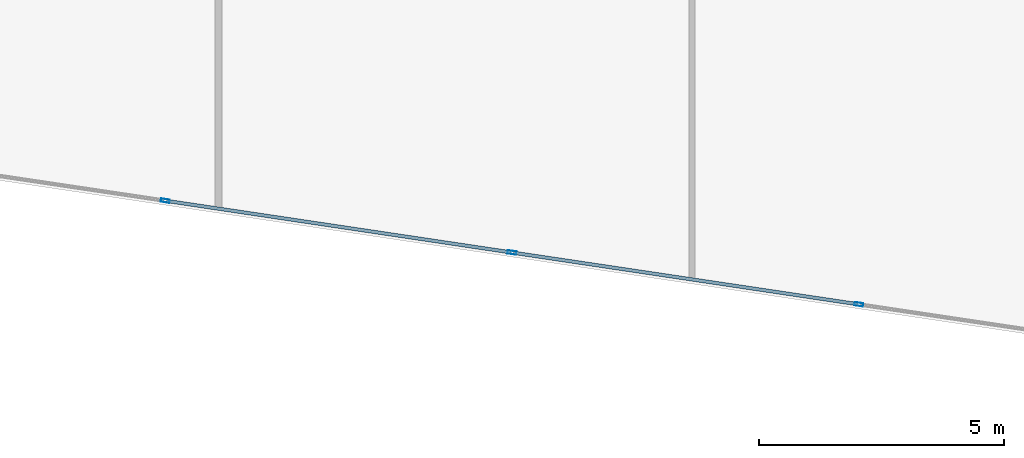
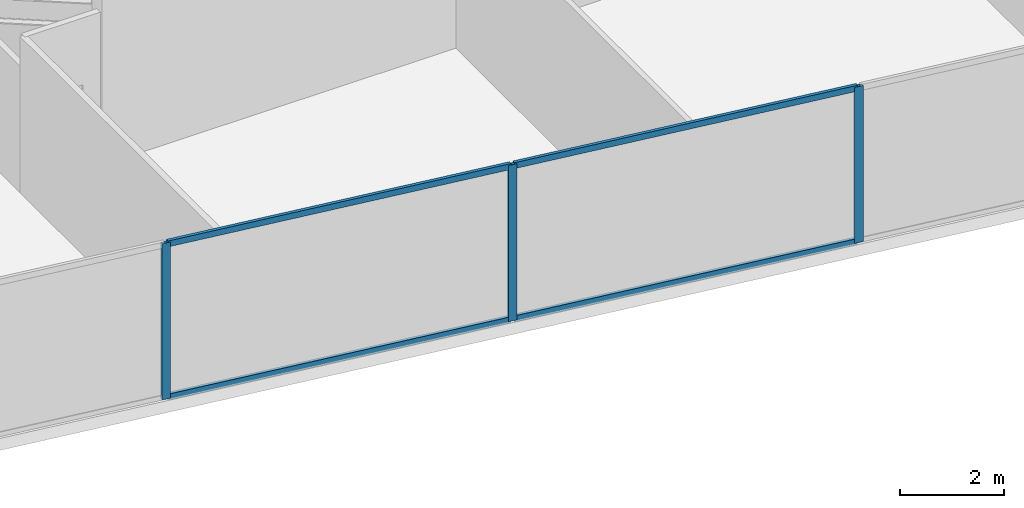
# One storey, part 4 of 29: 7 members, 1 element without a shape of its own.
"""IFC4 building model written with IfcOpenShell, lengths in metres."""

from ifc_helpers import new_model, si_unit, direction, frame, origin, origin_2d, place, context, subcontext, project, spatial, hollow_rectangle, extrude, source, transform, mapped, material, material_profile, profile_set, type_object, type_shapes, element, aggregate, save


model = new_model("IFC4")

# Units and contexts
model_context = context("Model", 3, precision=1e-05, world=origin(), true_north=direction((0.0, 1.0)))
body_context = subcontext(model_context, "Body", "Model", "MODEL_VIEW")
ifc_project = project(units=[si_unit("LENGTHUNIT", "METRE"), si_unit("AREAUNIT", "SQUARE_METRE"), si_unit("VOLUMEUNIT", "CUBIC_METRE"), si_unit("PLANEANGLEUNIT", "RADIAN"), si_unit("MASSUNIT", "GRAM", prefix="KILO")], contexts=[model_context])

# Site, building, storey
site_placement = place(None, origin())
site = spatial("IfcSite", under=ifc_project, at=site_placement, CompositionType="ELEMENT")
building_placement = place(site_placement, origin())
building = spatial("IfcBuilding", under=site, at=building_placement, Name="Krantzveldt Concourse Tower", CompositionType="ELEMENT")
storey_placement = place(building_placement, frame((0.0, 0.0, 72.39990234375)))
storey = spatial("IfcBuildingStorey", under=building, at=storey_placement, Name="L17", CompositionType="ELEMENT", Elevation=72.39990234375)

# Curtain wall, members
ifc_material = material(Name="Anodised aluminium 6063-T6", Category="aluminium")
curtain_wall_type = type_object("IfcCurtainWallType", Name="CW2", PredefinedType="USERDEFINED", material=ifc_material)
curtain_wall_placement = place(storey_placement, origin())
curtain_wall = element("IfcCurtainWall", 1, at=curtain_wall_placement, inside=storey, type_object=curtain_wall_type, Name="CW-L17-F04", ObjectType="UNITISED CURTAIN WALL", PredefinedType="USERDEFINED")
ifc_material_profile_1 = material_profile(ifc_material, hollow_rectangle(XDim=0.070068359375, YDim=0.139892578125, WallThickness=0.0048828125, at=origin_2d()), Name="Anodised aluminium 6063-T6", Category="aluminium")
ifc_profile_set_1 = profile_set([ifc_material_profile_1], Name="Anodised aluminium 6063-T6 - ALU-TRAN 140x70x5")
member_type_1 = type_object("IfcMemberType", Name="CW-TRN-150", PredefinedType="USERDEFINED", material=ifc_profile_set_1)
shared_shape_1 = source(origin(), body_context, "Body", "SweptSolid", [
    extrude(hollow_rectangle(XDim=0.070068359375, YDim=0.139892578125, WallThickness=0.0048828125, at=origin_2d()), origin(), (0.0, 0.0, 1.0), 7.0966796875),
])
member_1_placement = place(storey_placement, frame((25.2646484375, 3.11767578125, 0.03515625), z_axis=(0.989018713841, -0.14779033687, 0.0), x_axis=(0.14779033687, 0.989018713841, 0.0)))
member_1 = element("IfcMember", 2, at=member_1_placement, type_object=member_type_1, Name="CW-Z12 transom 3.1", ObjectType="TRANSOM", PredefinedType="USERDEFINED", context=body_context, shape_type="MappedRepresentation", body=[
    mapped(shared_shape_1, transform((0.0, 0.0, 0.0), x_axis=(1.0, 0.0, 0.0), y_axis=(0.0, 1.0, 0.0), z_axis=(0.0, 0.0, 1.0), scale=1.0)),
])
member_2_placement = place(storey_placement, frame((25.2646484375, 3.11767578125, 3.635009765625), z_axis=(0.989018713841, -0.14779033687, 0.0), x_axis=(0.14779033687, 0.989018713841, 0.0)))
member_2 = element("IfcMember", 3, at=member_2_placement, type_object=member_type_1, Name="CW-Z12 transom 3.2", ObjectType="TRANSOM", PredefinedType="USERDEFINED", context=body_context, shape_type="MappedRepresentation", body=[
    mapped(shared_shape_1, transform((0.0, 0.0, 0.0), x_axis=(1.0, 0.0, 0.0), y_axis=(0.0, 1.0, 0.0), z_axis=(0.0, 0.0, 1.0), scale=1.0)),
])
ifc_material_profile_2 = material_profile(ifc_material, hollow_rectangle(XDim=0.070068359375, YDim=0.179931640625, WallThickness=0.0048828125, at=origin_2d()), Name="Anodised aluminium 6063-T6", Category="aluminium")
ifc_profile_set_2 = profile_set([ifc_material_profile_2], Name="Anodised aluminium 6063-T6 - ALU-MULL 180x70x5")
member_type_2 = type_object("IfcMemberType", Name="CW-MUL-180", PredefinedType="MULLION", material=ifc_profile_set_2)
shared_shape_2 = source(origin(), body_context, "Body", "SweptSolid", [
    extrude(hollow_rectangle(XDim=0.070068359375, YDim=0.179931640625, WallThickness=0.0048828125, at=origin_2d()), origin(), (0.0, 0.0, 1.0), 3.670166015625),
])
type_shapes(member_type_2, [shared_shape_2])
member_3_placement = place(storey_placement, frame((25.230224609375, 3.122802734375, 0.0), z_axis=(0.0, 0.0, 1.0), x_axis=(0.147809505412, 0.989015849271, 0.0)))
member_3 = element("IfcMember", 4, at=member_3_placement, type_object=member_type_2, Name="CW-Z12 mullion 3", PredefinedType="MULLION", context=body_context, shape_type="MappedRepresentation", body=[
    mapped(shared_shape_2, transform((0.0, 0.0, 0.0), x_axis=(1.0, 0.0, 0.0), y_axis=(0.0, 1.0, 0.0), z_axis=(0.0, 0.0, 1.0), scale=1.0)),
])
member_4_placement = place(storey_placement, frame((32.318115234375, 2.063720703125, 0.0), z_axis=(0.0, 0.0, 1.0), x_axis=(0.147809505412, 0.989015849271, 0.0)))
member_4 = element("IfcMember", 5, at=member_4_placement, type_object=member_type_2, Name="CW-Z12 mullion 4", PredefinedType="MULLION", context=body_context, shape_type="MappedRepresentation", body=[
    mapped(shared_shape_2, transform((0.0, 0.0, 0.0), x_axis=(1.0, 0.0, 0.0), y_axis=(0.0, 1.0, 0.0), z_axis=(0.0, 0.0, 1.0), scale=1.0)),
])
member_5_placement = place(storey_placement, frame((39.406005859375, 1.00439453125, 0.0), z_axis=(0.0, 0.0, 1.0), x_axis=(0.147809505412, 0.989015849271, 0.0)))
member_5 = element("IfcMember", 6, at=member_5_placement, type_object=member_type_2, Name="CW-Z12 mullion 5", PredefinedType="MULLION", context=body_context, shape_type="MappedRepresentation", body=[
    mapped(shared_shape_2, transform((0.0, 0.0, 0.0), x_axis=(1.0, 0.0, 0.0), y_axis=(0.0, 1.0, 0.0), z_axis=(0.0, 0.0, 1.0), scale=1.0)),
])
shared_shape_3 = source(origin(), body_context, "Body", "SweptSolid", [
    extrude(hollow_rectangle(XDim=0.070068359375, YDim=0.139892578125, WallThickness=0.0048828125, at=origin_2d()), origin(), (0.0, 0.0, 1.0), 7.096435546875),
])
type_shapes(member_type_1, [shared_shape_1, shared_shape_3])
member_6_placement = place(storey_placement, frame((32.352783203125, 2.058349609375, 0.03515625), z_axis=(0.989017962398, -0.147795365468, 0.0), x_axis=(0.147795365468, 0.989017962398, 0.0)))
member_6 = element("IfcMember", 7, at=member_6_placement, type_object=member_type_1, Name="CW-Z12 transom 4.1", ObjectType="TRANSOM", PredefinedType="USERDEFINED", context=body_context, shape_type="MappedRepresentation", body=[
    mapped(shared_shape_3, transform((0.0, 0.0, 0.0), x_axis=(1.0, 0.0, 0.0), y_axis=(0.0, 1.0, 0.0), z_axis=(0.0, 0.0, 1.0), scale=1.0)),
])
member_7_placement = place(storey_placement, frame((32.352783203125, 2.058349609375, 3.635009765625), z_axis=(0.989017962398, -0.147795365468, 0.0), x_axis=(0.147795365468, 0.989017962398, 0.0)))
member_7 = element("IfcMember", 8, at=member_7_placement, type_object=member_type_1, Name="CW-Z12 transom 4.2", ObjectType="TRANSOM", PredefinedType="USERDEFINED", context=body_context, shape_type="MappedRepresentation", body=[
    mapped(shared_shape_3, transform((0.0, 0.0, 0.0), x_axis=(1.0, 0.0, 0.0), y_axis=(0.0, 1.0, 0.0), z_axis=(0.0, 0.0, 1.0), scale=1.0)),
])
aggregate(curtain_wall, [member_3, member_4, member_5, member_1, member_2, member_6, member_7])

save(model, "model.ifc")
